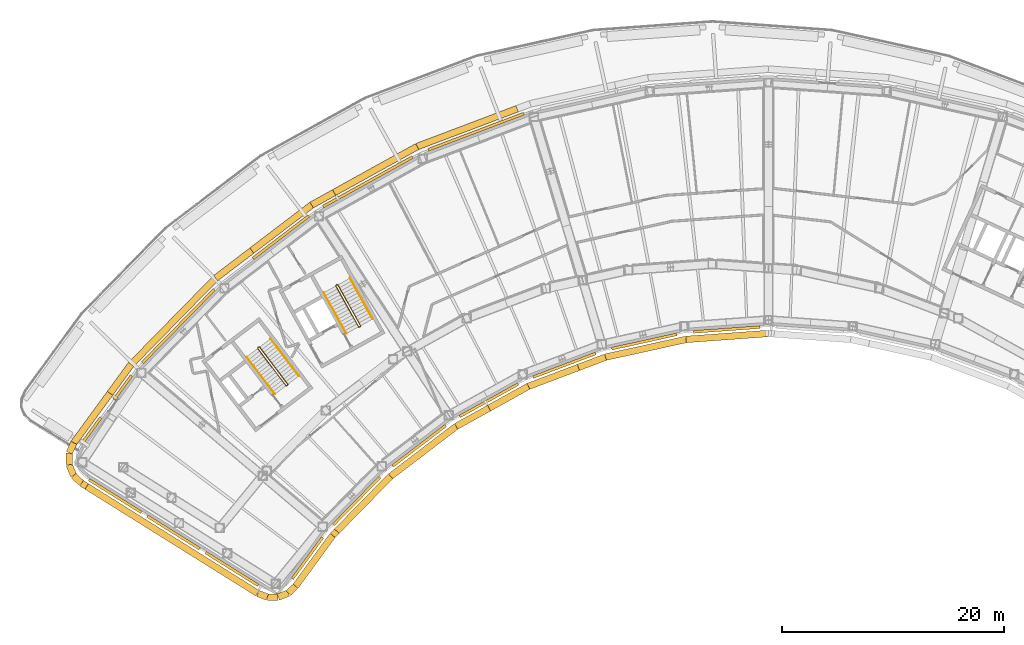
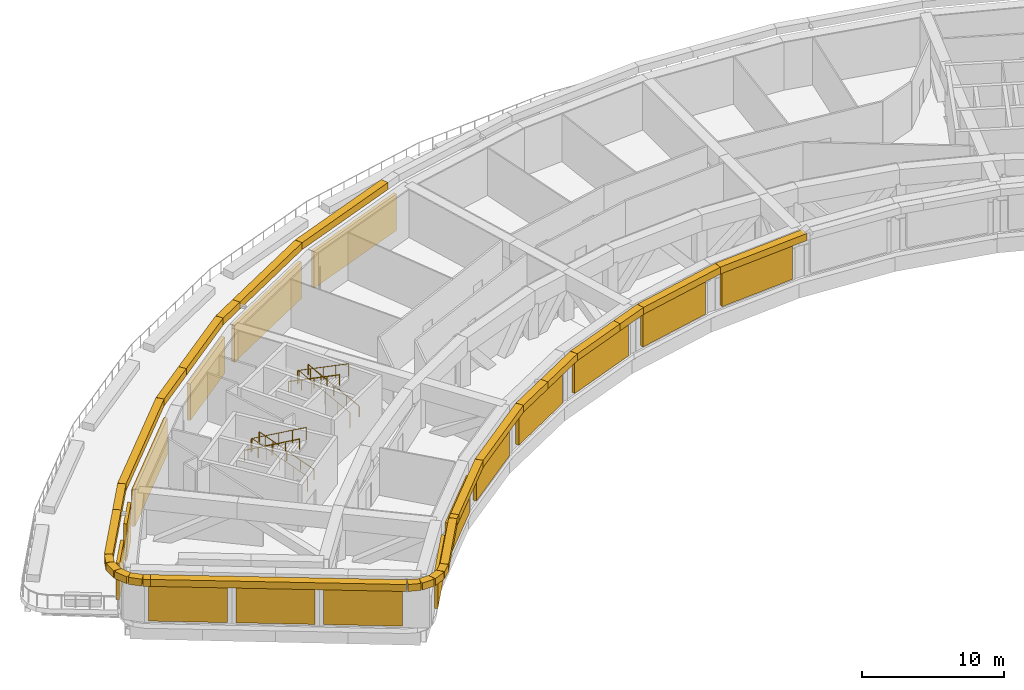
# One storey, part 20 of 24: 28 coverings, 16 shading devices, 6 railings.
"""IFC4 building model written with IfcOpenShell, lengths in metres."""

from ifc_helpers import new_model, si_unit, direction, frame, origin, origin_2d, place, context, subcontext, project, spatial, rectangle, circle, extrude, material, material_profile, profile_set, type_object, element, save


model = new_model("IFC4")

# Units and contexts
model_context = context("Model", 3, precision=1e-05, world=origin(), true_north=direction((0.0, 1.0)))
body_context = subcontext(model_context, "Body", "Model", "MODEL_VIEW")
ifc_project = project(units=[si_unit("LENGTHUNIT", "METRE"), si_unit("AREAUNIT", "SQUARE_METRE"), si_unit("VOLUMEUNIT", "CUBIC_METRE"), si_unit("PLANEANGLEUNIT", "RADIAN"), si_unit("MASSUNIT", "GRAM", prefix="KILO")], contexts=[model_context])

# Site, building, storey
site_placement = place(None, origin())
site = spatial("IfcSite", under=ifc_project, at=site_placement, CompositionType="ELEMENT")
building_placement = place(site_placement, origin())
building = spatial("IfcBuilding", under=site, at=building_placement, Name="Tuul Gate Civic Tower", CompositionType="ELEMENT")
storey_placement = place(building_placement, frame((0.0, 0.0, 94.800048828125)))
storey = spatial("IfcBuildingStorey", under=building, at=storey_placement, Name="Plant and refuge floor 3", CompositionType="ELEMENT", Elevation=94.800048828125)

# Shading devices
ifc_material_1 = material(Name="Aluminium louvre", Category="aluminium")
shading_device_type = type_object("IfcShadingDeviceType", Name="Louvre panel", PredefinedType="USERDEFINED", material=ifc_material_1)
for number, where, z_axis, x_axis, name in (
    (1, (-16.44482421875, 9.266357421875, 0.300048828125), (0.0, 0.0, 1.0), (-0.353621399117, 0.935388639062, 0.0), "Louvre panel"),
    (2, (-26.18310546875, 4.75537109375, 0.300048828125), (0.0, 0.0, 1.0), (-0.484828595511, 0.874609188709, 0.0), "Louvre panel"),
):
    element("IfcShadingDevice", number, at=place(storey_placement, frame(where, z_axis=z_axis, x_axis=x_axis)), inside=storey, type_object=shading_device_type, Name=name, ObjectType="LOUVRE", PredefinedType="USERDEFINED", context=body_context, shape_type="SweptSolid", body=[
        extrude(rectangle(XDim=0.25, YDim=9.199951171875, at=origin_2d()), origin(), (0.0, 0.0, 1.0), 3.14990234375),
    ])
shading_device_1_placement = place(storey_placement, frame((-34.00146484375, -0.223388671875, 0.300048828125), z_axis=(0.0, 0.0, 1.0), x_axis=(-0.605807600786, 0.795611180684, 0.0)))
element("IfcShadingDevice", 3, at=shading_device_1_placement, inside=storey, type_object=shading_device_type, Name="Louvre panel", ObjectType="LOUVRE", PredefinedType="USERDEFINED", context=body_context, shape_type="SweptSolid", body=[
    extrude(rectangle(XDim=0.25, YDim=6.300048828125, at=origin_2d()), origin(), (0.0, 0.0, 1.0), 3.14990234375),
])
shading_device_2_placement = place(storey_placement, frame((-43.21630859375, -8.214599609375, 0.300048828125), z_axis=(0.0, 0.0, 1.0), x_axis=(-0.714145828559, 0.699996953959, 0.0)))
element("IfcShadingDevice", 4, at=shading_device_2_placement, inside=storey, type_object=shading_device_type, Name="Louvre panel", ObjectType="LOUVRE", PredefinedType="USERDEFINED", context=body_context, shape_type="SweptSolid", body=[
    extrude(rectangle(XDim=0.25, YDim=9.199951171875, at=origin_2d()), origin(), (0.0, 0.0, 1.0), 3.14990234375),
])
for number, where, z_axis, x_axis, name in (
    (5, (-48.892578125, -23.4892578125, 0.300048828125), (0.0, 0.0, 1.0), (-0.529911707044, -0.848052818366, 0.0), "Louvre panel"),
    (6, (-43.649169921875, -26.765625, 0.300048828125), (0.0, 0.0, 1.0), (-0.529911707044, -0.848052818366, 0.0), "Louvre panel"),
    (7, (-38.406005859375, -30.041748046875, 0.300048828125), (0.0, 0.0, 1.0), (-0.529911707044, -0.848052818366, 0.0), "Louvre panel"),
):
    element("IfcShadingDevice", number, at=place(storey_placement, frame(where, z_axis=z_axis, x_axis=x_axis)), inside=storey, type_object=shading_device_type, Name=name, ObjectType="LOUVRE", PredefinedType="USERDEFINED", context=body_context, shape_type="SweptSolid", body=[
        extrude(rectangle(XDim=0.25, YDim=5.550048828125, at=origin_2d()), origin(), (0.0, 0.0, 1.0), 3.14990234375),
    ])
shading_device_3_placement = place(storey_placement, frame((-31.607666015625, -29.06884765625, 0.300048828125), z_axis=(0.0, 0.0, 1.0), x_axis=(0.807510971041, -0.589852550769, 0.0)))
element("IfcShadingDevice", 8, at=shading_device_3_placement, inside=storey, type_object=shading_device_type, Name="Louvre panel", ObjectType="LOUVRE", PredefinedType="USERDEFINED", context=body_context, shape_type="SweptSolid", body=[
    extrude(rectangle(XDim=0.25, YDim=4.60009765625, at=origin_2d()), origin(), (0.0, 0.0, 1.0), 3.14990234375),
])
for number, where, z_axis, x_axis, name in (
    (9, (-27.184326171875, -23.929931640625, 0.300048828125), (0.0, 0.0, 1.0), (0.714113208541, -0.700030231767, 0.0), "Louvre panel"),
    (10, (-21.5693359375, -18.974365234375, 0.300048828125), (0.0, 0.0, 1.0), (0.605851052715, -0.795578092914, 0.0), "Louvre panel"),
    (11, (-15.298828125, -14.8798828125, 0.300048828125), (0.0, 0.0, 1.0), (0.48480794476, -0.874620635875, 0.0), "Louvre panel"),
    (12, (-8.50390625, -11.73193359375, 0.300048828125), (0.0, 0.0, 1.0), (0.353684769481, -0.935364679597, 0.0), "Louvre panel"),
    (13, (-1.326171875, -9.59619140625, 0.300048828125), (0.0, 0.0, 1.0), (0.215241961183, -0.976560749849, 0.0), "Louvre panel"),
    (14, (6.08447265625, -8.51708984375, 0.300048828125), (0.0, 0.0, 1.0), (0.072144007561, -0.997394226058, 0.0), "Louvre panel"),
):
    element("IfcShadingDevice", number, at=place(storey_placement, frame(where, z_axis=z_axis, x_axis=x_axis)), inside=storey, type_object=shading_device_type, Name=name, ObjectType="LOUVRE", PredefinedType="USERDEFINED", context=body_context, shape_type="SweptSolid", body=[
        extrude(rectangle(XDim=0.25, YDim=6.0, at=origin_2d()), origin(), (0.0, 0.0, 1.0), 3.14990234375),
    ])
shading_device_4_placement = place(storey_placement, frame((-48.21728515625, -13.746826171875, 0.300048828125), z_axis=(0.0, 0.0, 1.0), x_axis=(-0.807482688018, 0.589891268415, 0.0)))
element("IfcShadingDevice", 15, at=shading_device_4_placement, inside=storey, type_object=shading_device_type, Name="Louvre panel", ObjectType="LOUVRE", PredefinedType="USERDEFINED", context=body_context, shape_type="SweptSolid", body=[
    extrude(rectangle(XDim=0.25, YDim=2.6640625, at=origin_2d()), origin(), (0.0, 0.0, 1.0), 3.14990234375),
])
shading_device_5_placement = place(storey_placement, frame((-51.033935546875, -17.6025390625, 0.300048828125), z_axis=(0.0, 0.0, 1.0), x_axis=(-0.807482688018, 0.589891268415, 0.0)))
element("IfcShadingDevice", 16, at=shading_device_5_placement, inside=storey, type_object=shading_device_type, Name="Louvre panel", ObjectType="LOUVRE", PredefinedType="USERDEFINED", context=body_context, shape_type="SweptSolid", body=[
    extrude(rectangle(XDim=0.25, YDim=2.885986328125, at=origin_2d()), origin(), (0.0, 0.0, 1.0), 3.14990234375),
])

# Railings
ifc_material_2 = material(Name="Painted steel", Category="steel")
railing_type_1 = type_object("IfcRailingType", Name="Stair guard", PredefinedType="GUARDRAIL", material=ifc_material_2)
railing_1_placement = place(storey_placement, frame((-33.382080078125, -13.515380859375, 0.0)))
element("IfcRailing", 17, at=railing_1_placement, inside=storey, type_object=railing_type_1, Name="Plant and refuge floor 3 ST-1 stair guard 1", PredefinedType="GUARDRAIL", context=body_context, shape_type="SweptSolid", body=[
    extrude(circle(Radius=0.02392578125, at=origin_2d()), frame((0.0, 0.0, 1.076171875), z_axis=(-0.795879841968, -0.605454603706, 0.0), x_axis=(0.605454603706, -0.795879841968, 0.0)), (0.0, 0.0, 1.0), 0.10009765625),
    extrude(circle(Radius=0.02392578125, at=origin_2d()), frame((-0.07958984375, -0.060546875, 1.076171875), z_axis=(0.408991890351, 0.599481263939, 0.688002796371), x_axis=(-0.826063974707, 0.563576356576, 0.0)), (0.0, 0.0, 1.0), 0.2177734375),
    extrude(circle(Radius=0.02392578125, at=origin_2d()), frame((0.009521484375, 0.070068359375, 1.22607421875), z_axis=(-0.541816459728, 0.711624784981, 0.447241645387), x_axis=(-0.795633173153, -0.605778716842, 0.0)), (0.0, 0.0, 1.0), 4.695556640625),
    extrude(circle(Radius=0.02392578125, at=origin_2d()), frame((-2.53466796875, 3.41162109375, 3.326171875), z_axis=(-0.990893089246, 0.134650977284, 0.0), x_axis=(-0.134650977284, -0.990893089246, 0.0)), (0.0, 0.0, 1.0), 0.07080078125),
    extrude(circle(Radius=0.02392578125, at=origin_2d()), frame((-2.604736328125, 3.421142578125, 3.326171875), z_axis=(-0.795879841968, -0.605454603706, 0.0), x_axis=(0.605454603706, -0.795879841968, 0.0)), (0.0, 0.0, 1.0), 0.10009765625),
    extrude(circle(Radius=0.02392578125, at=origin_2d()), frame((-2.684326171875, 3.360595703125, 3.326171875), z_axis=(-0.057447065493, -0.422751481959, 0.904423031091), x_axis=(0.990893089246, -0.134650977284, 0.0)), (0.0, 0.0, 1.0), 0.165771484375),
    extrude(circle(Radius=0.02392578125, at=origin_2d()), frame((-2.69384765625, 3.29052734375, 3.47607421875), z_axis=(0.541816459728, -0.711624784981, 0.447241645387), x_axis=(0.795633173153, 0.605778716842, 0.0)), (0.0, 0.0, 1.0), 4.695556640625),
    extrude(circle(Radius=0.02099609375, at=origin_2d()), origin(), (0.0, 0.0, 1.0), 1.052001953125),
    extrude(circle(Radius=0.02099609375, at=origin_2d()), frame((-0.07958984375, -0.060546875, 0.0)), (0.0, 0.0, 1.0), 1.052001953125),
    extrude(circle(Radius=0.02099609375, at=origin_2d()), frame((0.009521484375, 0.070068359375, 0.14990234375)), (0.0, 0.0, 1.0), 1.052001953125),
    extrude(circle(Radius=0.02099609375, at=origin_2d()), frame((-0.62646484375, 0.905517578125, 0.6748046875)), (0.0, 0.0, 1.0), 1.052001953125),
    extrude(circle(Radius=0.02099609375, at=origin_2d()), frame((-1.2626953125, 1.74072265625, 1.199951171875)), (0.0, 0.0, 1.0), 1.052001953125),
    extrude(circle(Radius=0.02099609375, at=origin_2d()), frame((-1.898681640625, 2.576171875, 1.72509765625)), (0.0, 0.0, 1.0), 1.052001953125),
    extrude(circle(Radius=0.02099609375, at=origin_2d()), frame((-2.53466796875, 3.41162109375, 2.25)), (0.0, 0.0, 1.0), 1.052001953125),
    extrude(circle(Radius=0.02099609375, at=origin_2d()), frame((-2.604736328125, 3.421142578125, 2.25)), (0.0, 0.0, 1.0), 1.052001953125),
    extrude(circle(Radius=0.02099609375, at=origin_2d()), frame((-2.684326171875, 3.360595703125, 2.25)), (0.0, 0.0, 1.0), 1.052001953125),
    extrude(circle(Radius=0.02099609375, at=origin_2d()), frame((-2.69384765625, 3.29052734375, 2.39990234375)), (0.0, 0.0, 1.0), 1.052001953125),
    extrude(circle(Radius=0.02099609375, at=origin_2d()), frame((-2.057861328125, 2.455078125, 2.9248046875)), (0.0, 0.0, 1.0), 1.052001953125),
    extrude(circle(Radius=0.02099609375, at=origin_2d()), frame((-1.421875, 1.61962890625, 3.449951171875)), (0.0, 0.0, 1.0), 1.052001953125),
    extrude(circle(Radius=0.02099609375, at=origin_2d()), frame((-0.78564453125, 0.784423828125, 3.97509765625)), (0.0, 0.0, 1.0), 1.052001953125),
    extrude(circle(Radius=0.02099609375, at=origin_2d()), frame((-0.149658203125, -0.051025390625, 4.5)), (0.0, 0.0, 1.0), 1.052001953125),
])
railing_2_placement = place(storey_placement, frame((-26.857666015625, -8.247314453125, 0.0)))
element("IfcRailing", 18, at=railing_2_placement, inside=storey, type_object=railing_type_1, Name="Plant and refuge floor 3 ST-2 stair guard 1", PredefinedType="GUARDRAIL", context=body_context, shape_type="SweptSolid", body=[
    extrude(circle(Radius=0.02392578125, at=origin_2d()), frame((0.0, 0.0, 1.076171875), z_axis=(-0.874616555828, -0.48481530532, 0.0), x_axis=(0.48481530532, -0.874616555828, 0.0)), (0.0, 0.0, 1.0), 0.10009765625),
    extrude(circle(Radius=0.02392578125, at=origin_2d()), frame((-0.087646484375, -0.048583984375, 1.076171875), z_axis=(0.49081399482, 0.534516610797, 0.688036056665), x_axis=(-0.736576986774, 0.676353711126, 0.0)), (0.0, 0.0, 1.0), 0.2177734375),
    extrude(circle(Radius=0.02392578125, at=origin_2d()), frame((0.019287109375, 0.06787109375, 1.22607421875), z_axis=(-0.433555878789, 0.78231386355, 0.447229604191), x_axis=(-0.874661316952, -0.484734546558, 0.0)), (0.0, 0.0, 1.0), 4.69580078125),
    extrude(circle(Radius=0.02392578125, at=origin_2d()), frame((-2.0166015625, 3.741455078125, 3.326171875), z_axis=(-0.961000426733, 0.276546885391, 0.0), x_axis=(-0.276546885391, -0.961000426733, 0.0)), (0.0, 0.0, 1.0), 0.070556640625),
    extrude(circle(Radius=0.02392578125, at=origin_2d()), frame((-2.08447265625, 3.760986328125, 3.326171875), z_axis=(-0.874616555828, -0.48481530532, 0.0), x_axis=(0.48481530532, -0.874616555828, 0.0)), (0.0, 0.0, 1.0), 0.10009765625),
    extrude(circle(Radius=0.02392578125, at=origin_2d()), frame((-2.172119140625, 3.71240234375, 3.326171875), z_axis=(-0.117866478395, -0.409586012422, 0.90462522168), x_axis=(0.961000426733, -0.276546885391, 0.0)), (0.0, 0.0, 1.0), 0.165771484375),
    extrude(circle(Radius=0.02392578125, at=origin_2d()), frame((-2.191650390625, 3.64453125, 3.47607421875), z_axis=(0.433598095863, -0.78229622883, 0.447219522855), x_axis=(0.874636671229, 0.484779014956, 0.0)), (0.0, 0.0, 1.0), 4.69580078125),
    extrude(circle(Radius=0.02099609375, at=origin_2d()), origin(), (0.0, 0.0, 1.0), 1.052001953125),
    extrude(circle(Radius=0.02099609375, at=origin_2d()), frame((-0.087646484375, -0.048583984375, 0.0)), (0.0, 0.0, 1.0), 1.052001953125),
    extrude(circle(Radius=0.02099609375, at=origin_2d()), frame((0.019287109375, 0.06787109375, 0.14990234375)), (0.0, 0.0, 1.0), 1.052001953125),
    extrude(circle(Radius=0.02099609375, at=origin_2d()), frame((-0.48974609375, 0.986328125, 0.6748046875)), (0.0, 0.0, 1.0), 1.052001953125),
    extrude(circle(Radius=0.02099609375, at=origin_2d()), frame((-0.99853515625, 1.90478515625, 1.199951171875)), (0.0, 0.0, 1.0), 1.052001953125),
    extrude(circle(Radius=0.02099609375, at=origin_2d()), frame((-1.507568359375, 2.822998046875, 1.72509765625)), (0.0, 0.0, 1.0), 1.052001953125),
    extrude(circle(Radius=0.02099609375, at=origin_2d()), frame((-2.0166015625, 3.741455078125, 2.25)), (0.0, 0.0, 1.0), 1.052001953125),
    extrude(circle(Radius=0.02099609375, at=origin_2d()), frame((-2.08447265625, 3.760986328125, 2.25)), (0.0, 0.0, 1.0), 1.052001953125),
    extrude(circle(Radius=0.02099609375, at=origin_2d()), frame((-2.172119140625, 3.71240234375, 2.25)), (0.0, 0.0, 1.0), 1.052001953125),
    extrude(circle(Radius=0.02099609375, at=origin_2d()), frame((-2.191650390625, 3.64453125, 2.39990234375)), (0.0, 0.0, 1.0), 1.052001953125),
    extrude(circle(Radius=0.02099609375, at=origin_2d()), frame((-1.6826171875, 2.72607421875, 2.9248046875)), (0.0, 0.0, 1.0), 1.052001953125),
    extrude(circle(Radius=0.02099609375, at=origin_2d()), frame((-1.173583984375, 1.8076171875, 3.449951171875)), (0.0, 0.0, 1.0), 1.052001953125),
    extrude(circle(Radius=0.02099609375, at=origin_2d()), frame((-0.66455078125, 0.889404296875, 3.97509765625)), (0.0, 0.0, 1.0), 1.052001953125),
    extrude(circle(Radius=0.02099609375, at=origin_2d()), frame((-0.155517578125, -0.029052734375, 4.5)), (0.0, 0.0, 1.0), 1.052001953125),
])
ifc_material_3 = material(Name="Painted steel", Category="steel")
railing_type_2 = type_object("IfcRailingType", Name="Stair handrail", PredefinedType="HANDRAIL", material=ifc_material_3)
railing_3_placement = place(storey_placement, frame((-32.3779296875, -12.688232421875, 0.14990234375)))
element("IfcRailing", 19, at=railing_3_placement, inside=storey, type_object=railing_type_2, Name="Plant and refuge floor 3 ST-1 stair handrail 1", PredefinedType="HANDRAIL", context=body_context, shape_type="SweptSolid", body=[
    extrude(circle(Radius=0.02392578125, at=origin_2d()), frame((0.0, 0.0, 0.8759765625), z_axis=(-0.541796413262, 0.711650446668, 0.447225098059), x_axis=(-0.795654503725, -0.605750700125, 0.0)), (0.0, 0.0, 1.0), 4.69580078125),
    extrude(circle(Radius=0.02099609375, at=origin_2d()), origin(), (0.0, 0.0, 1.0), 0.851806640625),
    extrude(circle(Radius=0.02099609375, at=origin_2d()), frame((-0.635986328125, 0.83544921875, 0.52490234375)), (0.0, 0.0, 1.0), 0.851806640625),
    extrude(circle(Radius=0.02099609375, at=origin_2d()), frame((-1.27197265625, 1.6708984375, 1.050048828125)), (0.0, 0.0, 1.0), 0.851806640625),
    extrude(circle(Radius=0.02099609375, at=origin_2d()), frame((-1.908203125, 2.50634765625, 1.5751953125)), (0.0, 0.0, 1.0), 0.851806640625),
    extrude(circle(Radius=0.02099609375, at=origin_2d()), frame((-2.544189453125, 3.341796875, 2.10009765625)), (0.0, 0.0, 1.0), 0.851806640625),
])
railing_4_placement = place(storey_placement, frame((-37.0703125, -10.98193359375, 2.39990234375)))
element("IfcRailing", 20, at=railing_4_placement, inside=storey, type_object=railing_type_2, Name="Plant and refuge floor 3 ST-1 stair handrail 2", PredefinedType="HANDRAIL", context=body_context, shape_type="SweptSolid", body=[
    extrude(circle(Radius=0.02392578125, at=origin_2d()), frame((0.0, 0.0, 0.8759765625), z_axis=(0.541796413262, -0.711650446668, 0.447225098059), x_axis=(0.795654503725, 0.605750700125, 0.0)), (0.0, 0.0, 1.0), 4.69580078125),
    extrude(circle(Radius=0.02099609375, at=origin_2d()), origin(), (0.0, 0.0, 1.0), 0.851806640625),
    extrude(circle(Radius=0.02099609375, at=origin_2d()), frame((0.635986328125, -0.83544921875, 0.52490234375)), (0.0, 0.0, 1.0), 0.851806640625),
    extrude(circle(Radius=0.02099609375, at=origin_2d()), frame((1.27197265625, -1.6708984375, 1.050048828125)), (0.0, 0.0, 1.0), 0.851806640625),
    extrude(circle(Radius=0.02099609375, at=origin_2d()), frame((1.908203125, -2.50634765625, 1.5751953125)), (0.0, 0.0, 1.0), 0.851806640625),
    extrude(circle(Radius=0.02099609375, at=origin_2d()), frame((2.544189453125, -3.341796875, 2.10009765625)), (0.0, 0.0, 1.0), 0.851806640625),
])
railing_5_placement = place(storey_placement, frame((-25.744873046875, -7.573486328125, 0.14990234375)))
element("IfcRailing", 21, at=railing_5_placement, inside=storey, type_object=railing_type_2, Name="Plant and refuge floor 3 ST-2 stair handrail 1", PredefinedType="HANDRAIL", context=body_context, shape_type="SweptSolid", body=[
    extrude(circle(Radius=0.02392578125, at=origin_2d()), frame((0.0, 0.0, 0.8759765625), z_axis=(-0.433598095863, 0.78229622883, 0.447219522855), x_axis=(-0.874636671229, -0.484779014956, 0.0)), (0.0, 0.0, 1.0), 4.69580078125),
    extrude(circle(Radius=0.02099609375, at=origin_2d()), origin(), (0.0, 0.0, 1.0), 0.851806640625),
    extrude(circle(Radius=0.02099609375, at=origin_2d()), frame((-0.509033203125, 0.91845703125, 0.52490234375)), (0.0, 0.0, 1.0), 0.851806640625),
    extrude(circle(Radius=0.02099609375, at=origin_2d()), frame((-1.01806640625, 1.8369140625, 1.050048828125)), (0.0, 0.0, 1.0), 0.851806640625),
    extrude(circle(Radius=0.02099609375, at=origin_2d()), frame((-1.527099609375, 2.755126953125, 1.5751953125)), (0.0, 0.0, 1.0), 0.851806640625),
    extrude(circle(Radius=0.02099609375, at=origin_2d()), frame((-2.0361328125, 3.673583984375, 2.10009765625)), (0.0, 0.0, 1.0), 0.851806640625),
])
railing_6_placement = place(storey_placement, frame((-30.142578125, -5.208740234375, 2.39990234375)))
element("IfcRailing", 22, at=railing_6_placement, inside=storey, type_object=railing_type_2, Name="Plant and refuge floor 3 ST-2 stair handrail 2", PredefinedType="HANDRAIL", context=body_context, shape_type="SweptSolid", body=[
    extrude(circle(Radius=0.02392578125, at=origin_2d()), frame((0.0, 0.0, 0.8759765625), z_axis=(0.433598095863, -0.78229622883, 0.447219522855), x_axis=(0.874636671229, 0.484779014956, 0.0)), (0.0, 0.0, 1.0), 4.69580078125),
    extrude(circle(Radius=0.02099609375, at=origin_2d()), origin(), (0.0, 0.0, 1.0), 0.851806640625),
    extrude(circle(Radius=0.02099609375, at=origin_2d()), frame((0.509033203125, -0.91845703125, 0.52490234375)), (0.0, 0.0, 1.0), 0.851806640625),
    extrude(circle(Radius=0.02099609375, at=origin_2d()), frame((1.01806640625, -1.8369140625, 1.050048828125)), (0.0, 0.0, 1.0), 0.851806640625),
    extrude(circle(Radius=0.02099609375, at=origin_2d()), frame((1.527099609375, -2.755126953125, 1.5751953125)), (0.0, 0.0, 1.0), 0.851806640625),
    extrude(circle(Radius=0.02099609375, at=origin_2d()), frame((2.0361328125, -3.673583984375, 2.10009765625)), (0.0, 0.0, 1.0), 0.851806640625),
])

# Coverings
ifc_material_4 = material(Name="Terracotta baguette", Category="masonry")
ifc_material_profile = material_profile(ifc_material_4, rectangle(XDim=0.60009765625, YDim=0.60009765625, at=origin_2d()), Name="Terracotta baguette screen frame")
ifc_profile_set = profile_set([ifc_material_profile], Name="Terracotta baguette")
covering_type = type_object("IfcCoveringType", Name="Terracotta baguette screen frame", PredefinedType="CLADDING", material=ifc_profile_set)
covering_1_placement = place(storey_placement, frame((-29.2119140625, 3.791015625, 4.14990234375), z_axis=(-0.874605814424, -0.484834682521, 0.0), x_axis=(0.484834682521, -0.874605814424, 0.0)))
element("IfcCovering", 23, at=covering_1_placement, inside=storey, type_object=covering_type, Name="Baguette 105", PredefinedType="CLADDING", context=body_context, shape_type="SweptSolid", body=[
    extrude(rectangle(XDim=0.60009765625, YDim=0.60009765625, at=origin_2d()), origin(), (0.0, 0.0, 1.0), 2.308837890625),
])
covering_2_placement = place(storey_placement, frame((-31.231201171875, 2.671630859375, 4.14990234375), z_axis=(-0.795608182255, -0.605811538623, 0.0), x_axis=(0.605811538623, -0.795608182255, 0.0)))
element("IfcCovering", 24, at=covering_2_placement, inside=storey, type_object=covering_type, Name="Baguette 106", PredefinedType="CLADDING", context=body_context, shape_type="SweptSolid", body=[
    extrude(rectangle(XDim=0.60009765625, YDim=0.60009765625, at=origin_2d()), origin(), (0.0, 0.0, 1.0), 6.763427734375),
])
covering_3_placement = place(storey_placement, frame((-49.361328125, -14.253662109375, 4.14990234375), z_axis=(-0.58987667906, -0.807493345794, 0.0), x_axis=(0.807493345794, -0.58987667906, 0.0)))
element("IfcCovering", 25, at=covering_3_placement, inside=storey, type_object=covering_type, Name="Baguette 129", PredefinedType="CLADDING", context=body_context, shape_type="SweptSolid", body=[
    extrude(rectangle(XDim=0.60009765625, YDim=0.60009765625, at=origin_2d()), origin(), (0.0, 0.0, 1.0), 5.512939453125),
])
covering_4_placement = place(storey_placement, frame((-52.61328125, -18.705322265625, 4.14990234375), z_axis=(-0.411904289645, -0.911227115582, 0.0), x_axis=(0.911227115582, -0.411904289645, 0.0)))
element("IfcCovering", 26, at=covering_4_placement, inside=storey, type_object=covering_type, Name="Baguette 130", PredefinedType="CLADDING", context=body_context, shape_type="SweptSolid", body=[
    extrude(rectangle(XDim=0.60009765625, YDim=0.60009765625, at=origin_2d()), origin(), (0.0, 0.0, 1.0), 0.988525390625),
])
covering_5_placement = place(storey_placement, frame((-53.0205078125, -19.606201171875, 4.14990234375), z_axis=(-0.014657151856, -0.99989257818, 0.0), x_axis=(0.99989257818, -0.014657151856, 0.0)))
element("IfcCovering", 27, at=covering_5_placement, inside=storey, type_object=covering_type, Name="Baguette 131", PredefinedType="CLADDING", context=body_context, shape_type="SweptSolid", body=[
    extrude(rectangle(XDim=0.60009765625, YDim=0.60009765625, at=origin_2d()), origin(), (0.0, 0.0, 1.0), 1.06591796875),
])
covering_6_placement = place(storey_placement, frame((-53.0361328125, -20.672119140625, 4.14990234375), z_axis=(0.385590096332, -0.922670188968, 0.0), x_axis=(0.922670188968, 0.385590096332, 0.0)))
element("IfcCovering", 28, at=covering_6_placement, inside=storey, type_object=covering_type, Name="Baguette 132", PredefinedType="CLADDING", context=body_context, shape_type="SweptSolid", body=[
    extrude(rectangle(XDim=0.60009765625, YDim=0.60009765625, at=origin_2d()), origin(), (0.0, 0.0, 1.0), 1.06689453125),
])
covering_7_placement = place(storey_placement, frame((-52.624755859375, -21.656494140625, 4.14990234375), z_axis=(0.722255502574, -0.691626336255, 0.0), x_axis=(0.691626336255, 0.722255502574, 0.0)))
element("IfcCovering", 29, at=covering_7_placement, inside=storey, type_object=covering_type, Name="Baguette 133", PredefinedType="CLADDING", context=body_context, shape_type="SweptSolid", body=[
    extrude(rectangle(XDim=0.60009765625, YDim=0.60009765625, at=origin_2d()), origin(), (0.0, 0.0, 1.0), 0.98828125),
])
covering_8_placement = place(storey_placement, frame((-51.910888671875, -22.340087890625, 4.14990234375), z_axis=(0.848100314171, -0.529835688778, 0.0), x_axis=(0.529835688778, 0.848100314171, 0.0)))
element("IfcCovering", 30, at=covering_8_placement, inside=storey, type_object=covering_type, Name="Baguette 134", PredefinedType="CLADDING", context=body_context, shape_type="SweptSolid", body=[
    extrude(rectangle(XDim=0.60009765625, YDim=0.60009765625, at=origin_2d()), origin(), (0.0, 0.0, 1.0), 0.537841796875),
])
covering_9_placement = place(storey_placement, frame((-36.0556640625, -32.247314453125, 4.14990234375), z_axis=(0.931801188997, -0.362969067807, 0.0), x_axis=(0.362969067807, 0.931801188997, 0.0)))
element("IfcCovering", 31, at=covering_9_placement, inside=storey, type_object=covering_type, Name="Baguette 158", PredefinedType="CLADDING", context=body_context, shape_type="SweptSolid", body=[
    extrude(rectangle(XDim=0.60009765625, YDim=0.60009765625, at=origin_2d()), origin(), (0.0, 0.0, 1.0), 0.9013671875),
])
covering_10_placement = place(storey_placement, frame((-35.2158203125, -32.574462890625, 4.14990234375), z_axis=(0.99999546609, 0.003011278693, 0.0), x_axis=(-0.003011278693, 0.99999546609, 0.0)))
element("IfcCovering", 32, at=covering_10_placement, inside=storey, type_object=covering_type, Name="Baguette 159", PredefinedType="CLADDING", context=body_context, shape_type="SweptSolid", body=[
    extrude(rectangle(XDim=0.60009765625, YDim=0.60009765625, at=origin_2d()), origin(), (0.0, 0.0, 1.0), 0.972900390625),
])
covering_11_placement = place(storey_placement, frame((-34.242919921875, -32.571533203125, 4.14990234375), z_axis=(0.929715491451, 0.368278569775, 0.0), x_axis=(-0.368278569775, 0.929715491451, 0.0)))
element("IfcCovering", 33, at=covering_11_placement, inside=storey, type_object=covering_type, Name="Baguette 160", PredefinedType="CLADDING", context=body_context, shape_type="SweptSolid", body=[
    extrude(rectangle(XDim=0.60009765625, YDim=0.60009765625, at=origin_2d()), origin(), (0.0, 0.0, 1.0), 0.974609375),
])
covering_12_placement = place(storey_placement, frame((-33.3369140625, -32.212646484375, 4.14990234375), z_axis=(0.729233015542, 0.684265452177, 0.0), x_axis=(-0.684265452177, 0.729233015542, 0.0)))
element("IfcCovering", 34, at=covering_12_placement, inside=storey, type_object=covering_type, Name="Baguette 161", PredefinedType="CLADDING", context=body_context, shape_type="SweptSolid", body=[
    extrude(rectangle(XDim=0.60009765625, YDim=0.60009765625, at=origin_2d()), origin(), (0.0, 0.0, 1.0), 0.9013671875),
])
covering_13_placement = place(storey_placement, frame((-32.6796875, -31.595947265625, 4.14990234375), z_axis=(0.589834173265, 0.807524394708, 0.0), x_axis=(-0.807524394708, 0.589834173265, 0.0)))
element("IfcCovering", 35, at=covering_13_placement, inside=storey, type_object=covering_type, Name="Baguette 162", PredefinedType="CLADDING", context=body_context, shape_type="SweptSolid", body=[
    extrude(rectangle(XDim=0.60009765625, YDim=0.60009765625, at=origin_2d()), origin(), (0.0, 0.0, 1.0), 5.67138671875),
])
covering_14_placement = place(storey_placement, frame((-29.33447265625, -27.01611328125, 4.14990234375), z_axis=(0.70038659818, 0.713763695553, 0.0), x_axis=(-0.713763695553, 0.70038659818, 0.0)))
element("IfcCovering", 36, at=covering_14_placement, inside=storey, type_object=covering_type, Name="Baguette 163", PredefinedType="CLADDING", context=body_context, shape_type="SweptSolid", body=[
    extrude(rectangle(XDim=0.60009765625, YDim=0.60009765625, at=origin_2d()), origin(), (0.0, 0.0, 1.0), 0.510986328125),
])
covering_15_placement = place(storey_placement, frame((-15.28466796875, -15.58642578125, 4.14990234375), z_axis=(0.874641542533, 0.484770226062, 0.0), x_axis=(-0.484770226062, 0.874641542533, 0.0)))
element("IfcCovering", 37, at=covering_15_placement, inside=storey, type_object=covering_type, Name="Baguette 194", PredefinedType="CLADDING", context=body_context, shape_type="SweptSolid", body=[
    extrude(rectangle(XDim=0.60009765625, YDim=0.60009765625, at=origin_2d()), origin(), (0.0, 0.0, 1.0), 4.0390625),
])
covering_16_placement = place(storey_placement, frame((-11.751953125, -13.62841796875, 4.14990234375), z_axis=(0.935352040311, 0.353718193887, 0.0), x_axis=(-0.353718193887, 0.935352040311, 0.0)))
element("IfcCovering", 38, at=covering_16_placement, inside=storey, type_object=covering_type, Name="Baguette 195", PredefinedType="CLADDING", context=body_context, shape_type="SweptSolid", body=[
    extrude(rectangle(XDim=0.60009765625, YDim=0.60009765625, at=origin_2d()), origin(), (0.0, 0.0, 1.0), 4.812744140625),
])
covering_17_placement = place(storey_placement, frame((-12.75830078125, 11.328125, 4.14990234375), z_axis=(-0.935396057165, -0.353601776352, 0.0), x_axis=(0.353601776352, -0.935396057165, 0.0)))
element("IfcCovering", 39, at=covering_17_placement, inside=storey, type_object=covering_type, Name="Baguette 385", PredefinedType="CLADDING", context=body_context, shape_type="SweptSolid", body=[
    extrude(rectangle(XDim=0.60009765625, YDim=0.60009765625, at=origin_2d()), origin(), (0.0, 0.0, 1.0), 9.603271484375),
])
covering_18_placement = place(storey_placement, frame((-21.7412109375, 7.932373046875, 4.14990234375), z_axis=(-0.874605853988, -0.48483461115, 0.0), x_axis=(0.48483461115, -0.874605853988, 0.0)))
element("IfcCovering", 40, at=covering_18_placement, inside=storey, type_object=covering_type, Name="Baguette 386", PredefinedType="CLADDING", context=body_context, shape_type="SweptSolid", body=[
    extrude(rectangle(XDim=0.60009765625, YDim=0.60009765625, at=origin_2d()), origin(), (0.0, 0.0, 1.0), 8.541748046875),
])
covering_19_placement = place(storey_placement, frame((-36.6123046875, -1.42578125, 4.14990234375), z_axis=(-0.795614033474, -0.60580385418, 0.0), x_axis=(0.60580385418, -0.795614033474, 0.0)))
element("IfcCovering", 41, at=covering_19_placement, inside=storey, type_object=covering_type, Name="Baguette 387", PredefinedType="CLADDING", context=body_context, shape_type="SweptSolid", body=[
    extrude(rectangle(XDim=0.60009765625, YDim=0.60009765625, at=origin_2d()), origin(), (0.0, 0.0, 1.0), 4.087646484375),
])
covering_20_placement = place(storey_placement, frame((-39.864501953125, -3.902099609375, 4.14990234375), z_axis=(-0.699995829294, -0.71414693094, 0.0), x_axis=(0.71414693094, -0.699995829294, 0.0)))
element("IfcCovering", 42, at=covering_20_placement, inside=storey, type_object=covering_type, Name="Baguette 388", PredefinedType="CLADDING", context=body_context, shape_type="SweptSolid", body=[
    extrude(rectangle(XDim=0.60009765625, YDim=0.60009765625, at=origin_2d()), origin(), (0.0, 0.0, 1.0), 10.851806640625),
])
covering_21_placement = place(storey_placement, frame((-47.460693359375, -11.65185546875, 4.14990234375), z_axis=(-0.589877898363, -0.807492455087, 0.0), x_axis=(0.807492455087, -0.589877898363, 0.0)))
element("IfcCovering", 43, at=covering_21_placement, inside=storey, type_object=covering_type, Name="Baguette 389", PredefinedType="CLADDING", context=body_context, shape_type="SweptSolid", body=[
    extrude(rectangle(XDim=0.60009765625, YDim=0.60009765625, at=origin_2d()), origin(), (0.0, 0.0, 1.0), 3.22216796875),
])
covering_22_placement = place(storey_placement, frame((-51.454833984375, -22.625, 4.14990234375), z_axis=(0.848051326016, -0.529914095342, 0.0), x_axis=(0.529914095342, 0.848051326016, 0.0)))
element("IfcCovering", 44, at=covering_22_placement, inside=storey, type_object=covering_type, Name="Baguette 390", PredefinedType="CLADDING", context=body_context, shape_type="SweptSolid", body=[
    extrude(rectangle(XDim=0.60009765625, YDim=0.60009765625, at=origin_2d()), origin(), (0.0, 0.0, 1.0), 18.106201171875),
])
covering_23_placement = place(storey_placement, frame((-28.9765625, -26.6513671875, 4.14990234375), z_axis=(0.70002016801, 0.714123073692, 0.0), x_axis=(-0.714123073692, 0.70002016801, 0.0)))
element("IfcCovering", 45, at=covering_23_placement, inside=storey, type_object=covering_type, Name="Baguette 391", PredefinedType="CLADDING", context=body_context, shape_type="SweptSolid", body=[
    extrude(rectangle(XDim=0.60009765625, YDim=0.60009765625, at=origin_2d()), origin(), (0.0, 0.0, 1.0), 6.9072265625),
])
covering_24_placement = place(storey_placement, frame((-24.141357421875, -21.71875, 4.14990234375), z_axis=(0.795570717168, 0.605860738111, 0.0), x_axis=(-0.605860738111, 0.795570717168, 0.0)))
element("IfcCovering", 46, at=covering_24_placement, inside=storey, type_object=covering_type, Name="Baguette 392", PredefinedType="CLADDING", context=body_context, shape_type="SweptSolid", body=[
    extrude(rectangle(XDim=0.60009765625, YDim=0.60009765625, at=origin_2d()), origin(), (0.0, 0.0, 1.0), 7.417724609375),
])
covering_25_placement = place(storey_placement, frame((-18.239990234375, -17.224609375, 4.14990234375), z_axis=(0.874616982527, 0.484814535544, 0.0), x_axis=(-0.484814535544, 0.874616982527, 0.0)))
element("IfcCovering", 47, at=covering_25_placement, inside=storey, type_object=covering_type, Name="Baguette 393", PredefinedType="CLADDING", context=body_context, shape_type="SweptSolid", body=[
    extrude(rectangle(XDim=0.60009765625, YDim=0.60009765625, at=origin_2d()), origin(), (0.0, 0.0, 1.0), 3.37890625),
])
covering_26_placement = place(storey_placement, frame((-7.250244140625, -11.926025390625, 4.14990234375), z_axis=(0.935366714163, 0.353679388764, 0.0), x_axis=(-0.353679388764, 0.935366714163, 0.0)))
element("IfcCovering", 48, at=covering_26_placement, inside=storey, type_object=covering_type, Name="Baguette 394", PredefinedType="CLADDING", context=body_context, shape_type="SweptSolid", body=[
    extrude(rectangle(XDim=0.60009765625, YDim=0.60009765625, at=origin_2d()), origin(), (0.0, 0.0, 1.0), 2.605224609375),
])
covering_27_placement = place(storey_placement, frame((-4.8134765625, -11.004638671875, 4.14990234375), z_axis=(0.976565804128, 0.215219028452, 0.0), x_axis=(-0.215219028452, 0.976565804128, 0.0)))
element("IfcCovering", 49, at=covering_27_placement, inside=storey, type_object=covering_type, Name="Baguette 395", PredefinedType="CLADDING", context=body_context, shape_type="SweptSolid", body=[
    extrude(rectangle(XDim=0.60009765625, YDim=0.60009765625, at=origin_2d()), origin(), (0.0, 0.0, 1.0), 7.417724609375),
])
covering_28_placement = place(storey_placement, frame((2.430419921875, -9.408203125, 4.14990234375), z_axis=(0.997394311548, 0.072142825637, 0.0), x_axis=(-0.072142825637, 0.997394311548, 0.0)))
element("IfcCovering", 50, at=covering_28_placement, inside=storey, type_object=covering_type, Name="Baguette 396", PredefinedType="CLADDING", context=body_context, shape_type="SweptSolid", body=[
    extrude(rectangle(XDim=0.60009765625, YDim=0.60009765625, at=origin_2d()), origin(), (0.0, 0.0, 1.0), 7.41796875),
])

save(model, "model.ifc")
